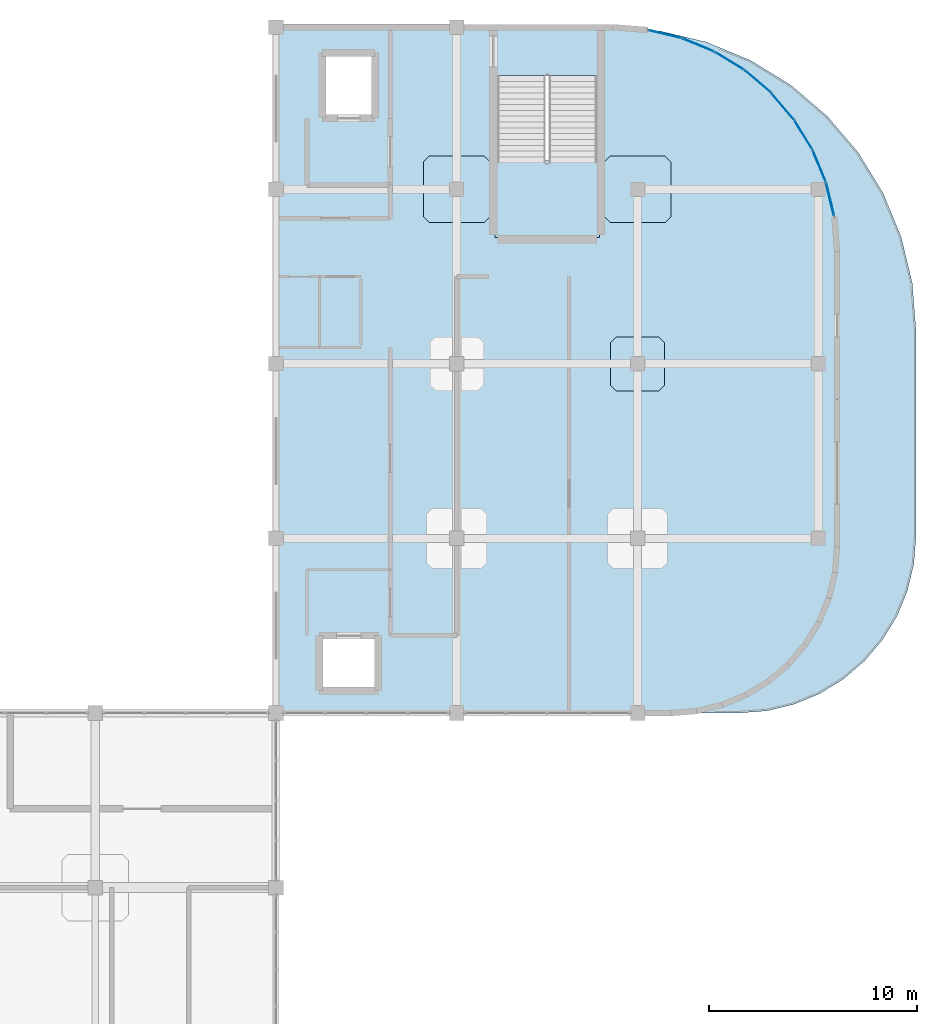
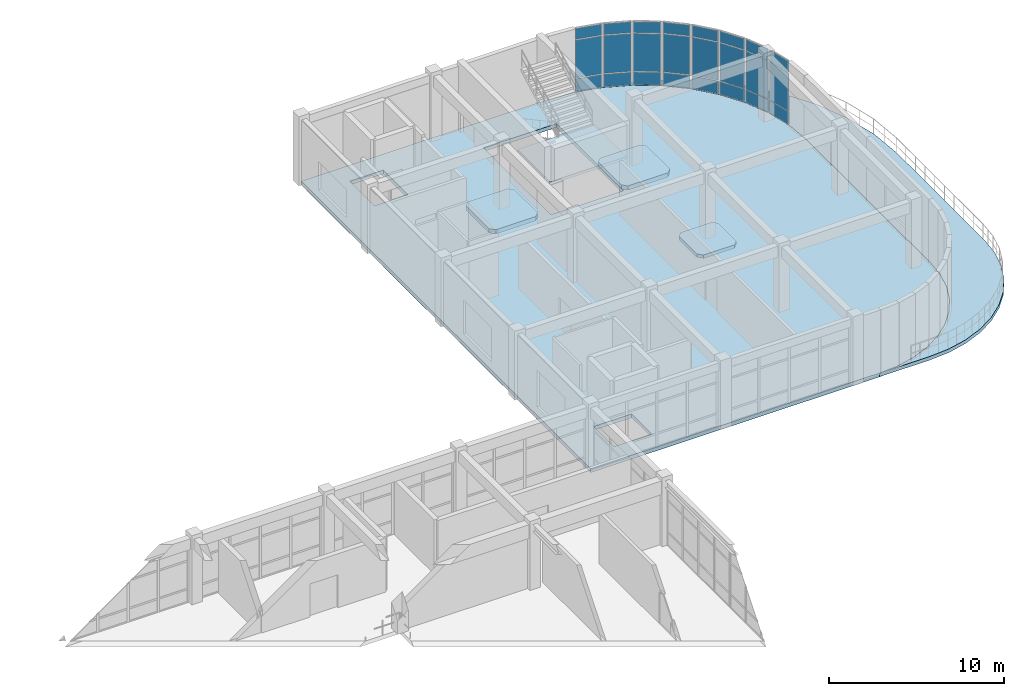
# One storey, part 53 of 64: 24 plates, 6 slabs, 9 elements without a shape of their own.
"""IFC4 building model written with IfcOpenShell, lengths in metres."""

from ifc_helpers import new_model, si_unit, derived_unit, direction, frame, origin, origin_2d, place, context, subcontext, project, spatial, polyline, rectangle, outline, extrude, material, layer, layer_set, type_object, element, aggregate, save


model = new_model("IFC4")

# Units and contexts
model_context = context("Model", 3, precision=1e-05, world=origin(), true_north=direction((0.0, 1.0)))
body_context = subcontext(model_context, "Body", "Model", "MODEL_VIEW")
ifc_project = project(units=[si_unit("LENGTHUNIT", "METRE"), si_unit("AREAUNIT", "SQUARE_METRE"), si_unit("VOLUMEUNIT", "CUBIC_METRE"), si_unit("PLANEANGLEUNIT", "RADIAN"), si_unit("MASSUNIT", "GRAM", prefix="KILO"), derived_unit("THERMALTRANSMITTANCEUNIT", [(si_unit("MASSUNIT", "GRAM", prefix="KILO"), 1), (si_unit("TIMEUNIT", "SECOND"), -3), (si_unit("THERMODYNAMICTEMPERATUREUNIT", "KELVIN"), -1)])], contexts=[model_context])

# Site, building, storey
site_placement = place(None, origin())
site = spatial("IfcSite", under=ifc_project, at=site_placement, CompositionType="ELEMENT")
building_placement = place(site_placement, origin())
building = spatial("IfcBuilding", under=site, at=building_placement, Name="Qinzheling Arcade Emporium", CompositionType="ELEMENT")
storey_placement = place(building_placement, frame((0.0, 0.0, 31.5)))
storey = spatial("IfcBuildingStorey", under=building, at=storey_placement, Name="L07", CompositionType="ELEMENT", Elevation=31.5)

# Slabs
ifc_material_1 = material(Name="Concrete C40", Category="concrete")
ifc_layer_1 = layer(ifc_material_1, 0.264892578125, Name="Concrete C40", Category="concrete")
ifc_layer_set_1 = layer_set([ifc_layer_1], Name="Concrete C40")
slab_type_1 = type_object("IfcSlabType", Name="Buying Office Flat Slab 265 C40", PredefinedType="FLOOR", material=ifc_layer_set_1)
slab_1_placement = place(storey_placement, frame((0.0, 0.0, -0.264892578125)))
element("IfcSlab", 1, at=slab_1_placement, inside=storey, type_object=slab_type_1, Name="Floor Slab SLB-L07-V6", PredefinedType="FLOOR", context=body_context, shape_type="SweptSolid", body=[
    extrude(outline(polyline([(104.39990234375, 106.800048828125), (104.39990234375, 73.800048828125), (123.39990234375, 73.800048828125), (124.65087890625, 73.89794921875), (125.8720703125, 74.19189453125), (127.031982421875, 74.672119140625), (128.10205078125, 75.327880859375), (129.056884765625, 76.14306640625), (129.8720703125, 77.097900390625), (130.528076171875, 78.16796875), (131.008056640625, 79.327880859375), (131.302001953125, 80.549072265625), (131.39990234375, 81.800048828125), (131.39990234375, 96.0), (131.26708984375, 97.68896484375), (130.87109375, 99.3369140625), (130.222900390625, 100.903076171875), (129.3369140625, 102.347900390625), (128.237060546875, 103.636962890625), (126.947998046875, 104.737060546875), (125.5029296875, 105.623046875), (123.93701171875, 106.27099609375), (122.2890625, 106.6669921875), (120.60009765625, 106.800048828125), (104.39990234375, 106.800048828125)]), holes=[polyline([(119.844970703125, 96.800048828125), (115.054931640625, 96.800048828125), (115.054931640625, 104.47509765625), (119.844970703125, 104.47509765625), (119.844970703125, 96.800048828125)]), polyline([(109.14990234375, 75.050048828125), (106.64990234375, 75.050048828125), (106.64990234375, 77.35009765625), (109.14990234375, 77.35009765625), (109.14990234375, 75.050048828125)]), polyline([(109.0, 102.60009765625), (106.800048828125, 102.60009765625), (106.800048828125, 105.39990234375), (109.0, 105.39990234375), (109.0, 102.60009765625)])]), origin(), (0.0, 0.0, 1.0), 0.264892578125),
])
ifc_layer_2 = layer(ifc_material_1, 0.235107421875, Name="Concrete C40", Category="concrete")
ifc_layer_set_2 = layer_set([ifc_layer_2], Name="Concrete C40")
slab_type_2 = type_object("IfcSlabType", Name="Column Head Drop Panel 2600x2600x235 C40", PredefinedType="USERDEFINED", material=ifc_layer_set_2)
slab_2_placement = place(storey_placement, frame((0.0, 0.0, -0.5)))
element("IfcSlab", 2, at=slab_2_placement, inside=storey, type_object=slab_type_2, Name="Column Drop Panel DP-L07-15-L", ObjectType="DROP_PANEL", PredefinedType="USERDEFINED", context=body_context, shape_type="SweptSolid", body=[
    extrude(outline(polyline([(120.780029296875, 89.300048828125), (122.820068359375, 89.300048828125), (123.10009765625, 89.580078125), (123.10009765625, 91.6201171875), (122.820068359375, 91.89990234375), (120.780029296875, 91.89990234375), (120.5, 91.6201171875), (120.5, 89.580078125), (120.780029296875, 89.300048828125)])), origin(), (0.0, 0.0, 1.0), 0.235107421875),
])
ifc_layer_3 = layer(ifc_material_1, 0.300048828125, Name="Concrete C40", Category="concrete")
ifc_layer_set_3 = layer_set([ifc_layer_3], Name="Concrete C40")
slab_type_3 = type_object("IfcSlabType", Name="Column Head Drop Panel 3200x3200x300 C40", PredefinedType="USERDEFINED", material=ifc_layer_set_3)
slab_3_placement = place(storey_placement, frame((0.0, 0.0, -0.56494140625)))
element("IfcSlab", 3, at=slab_3_placement, inside=storey, type_object=slab_type_3, Name="Column Drop Panel DP-L07-14-M", ObjectType="DROP_PANEL", PredefinedType="USERDEFINED", context=body_context, shape_type="SweptSolid", body=[
    extrude(outline(polyline([(111.780029296875, 97.39990234375), (114.419921875, 97.39990234375), (114.699951171875, 97.679931640625), (114.699951171875, 100.320068359375), (114.419921875, 100.60009765625), (111.780029296875, 100.60009765625), (111.5, 100.320068359375), (111.5, 97.679931640625), (111.780029296875, 97.39990234375)])), origin(), (0.0, 0.0, 1.0), 0.300048828125),
])
slab_4_placement = place(storey_placement, frame((0.0, 0.0, -0.56494140625)))
element("IfcSlab", 4, at=slab_4_placement, inside=storey, type_object=slab_type_3, Name="Column Drop Panel DP-L07-15-M", ObjectType="DROP_PANEL", PredefinedType="USERDEFINED", context=body_context, shape_type="SweptSolid", body=[
    extrude(outline(polyline([(120.47998046875, 97.39990234375), (123.1201171875, 97.39990234375), (123.39990234375, 97.679931640625), (123.39990234375, 100.320068359375), (123.1201171875, 100.60009765625), (120.47998046875, 100.60009765625), (120.199951171875, 100.320068359375), (120.199951171875, 97.679931640625), (120.47998046875, 97.39990234375)])), origin(), (0.0, 0.0, 1.0), 0.300048828125),
])

# Curtain wall, plates
ifc_material_2 = material(Name="Anodised aluminium and solar-control double glazing", Category="aluminium")
ifc_layer_4 = layer(ifc_material_2, 0.159912109375, Name="Anodised aluminium and solar-control double glazing", Category="aluminium")
ifc_layer_set_4 = layer_set([ifc_layer_4], Name="Anodised aluminium and solar-control double glazing")
curtain_wall_type = type_object("IfcCurtainWallType", Name="Curved Ribbon Sales Curtain Wall", PredefinedType="NOTDEFINED", material=ifc_layer_set_4)
curtain_wall_1_placement = place(storey_placement, origin())
curtain_wall_1 = element("IfcCurtainWall", 5, at=curtain_wall_1_placement, inside=storey, type_object=curtain_wall_type, Name="Curtain Wall CW-L07-433", PredefinedType="NOTDEFINED")
ifc_material_3 = material(Name="Laminated solar-control double glazing", Category="glass")
ifc_layer_5 = layer(ifc_material_3, 0.029052734375, Name="Laminated solar-control double glazing", Category="glass")
ifc_layer_set_5 = layer_set([ifc_layer_5], Name="Laminated solar-control double glazing")
plate_type_1 = type_object("IfcPlateType", Name="Low-E Double Glazed Curtain Panel 29mm", PredefinedType="CURTAIN_PANEL", material=ifc_layer_set_5)
plate_1_placement = place(storey_placement, frame((123.113037109375, 106.468994140625, 0.06005859375), z_axis=(0.0, 0.0, 1.0), x_axis=(0.97232299865, -0.233640720545, 0.0)))
plate_1 = element("IfcPlate", 6, at=plate_1_placement, type_object=plate_type_1, Name="CW02 panel 1.1", PredefinedType="CURTAIN_PANEL", context=body_context, shape_type="SweptSolid", body=[
    extrude(rectangle(XDim=1.574951171875, YDim=0.029052734375, at=origin_2d()), origin(), (0.0, 0.0, 1.0), 0.860107421875),
])
plate_2_placement = place(storey_placement, frame((123.113037109375, 106.468994140625, 0.97998046875), z_axis=(0.0, 0.0, 1.0), x_axis=(0.97232299865, -0.233640720545, 0.0)))
plate_2 = element("IfcPlate", 7, at=plate_2_placement, type_object=plate_type_1, Name="CW02 panel 1.2", PredefinedType="CURTAIN_PANEL", context=body_context, shape_type="SweptSolid", body=[
    extrude(rectangle(XDim=1.574951171875, YDim=0.029052734375, at=origin_2d()), origin(), (0.0, 0.0, 1.0), 2.6298828125),
])
plate_3_placement = place(storey_placement, frame((123.113037109375, 106.468994140625, 3.669921875), z_axis=(0.0, 0.0, 1.0), x_axis=(0.97232299865, -0.233640720545, 0.0)))
plate_3 = element("IfcPlate", 8, at=plate_3_placement, type_object=plate_type_1, Name="CW02 panel 1.3", PredefinedType="CURTAIN_PANEL", context=body_context, shape_type="SweptSolid", body=[
    extrude(rectangle(XDim=1.574951171875, YDim=0.029052734375, at=origin_2d()), origin(), (0.0, 0.0, 1.0), 0.760009765625),
])
aggregate(curtain_wall_1, [plate_1, plate_2, plate_3])

curtain_wall_2_placement = place(storey_placement, origin())
curtain_wall_2 = element("IfcCurtainWall", 9, at=curtain_wall_2_placement, inside=storey, type_object=curtain_wall_type, Name="Curtain Wall CW-L07-434", PredefinedType="NOTDEFINED")
ifc_layer_6 = layer(ifc_material_3, 0.030029296875, Name="Laminated solar-control double glazing", Category="glass")
ifc_layer_set_6 = layer_set([ifc_layer_6], Name="Laminated solar-control double glazing")
plate_type_2 = type_object("IfcPlateType", Name="Low-E Double Glazed Curtain Panel 30mm", PredefinedType="CURTAIN_PANEL", material=ifc_layer_set_6)
plate_4_placement = place(storey_placement, frame((124.719970703125, 105.947021484375, 0.06005859375), z_axis=(0.0, 0.0, 1.0), x_axis=(0.924016832423, -0.382351792725, 0.0)))
plate_4 = element("IfcPlate", 10, at=plate_4_placement, type_object=plate_type_2, Name="CW02 panel 1.1", PredefinedType="CURTAIN_PANEL", context=body_context, shape_type="SweptSolid", body=[
    extrude(rectangle(XDim=1.57470703125, YDim=0.030029296875, at=origin_2d()), origin(), (0.0, 0.0, 1.0), 0.860107421875),
])
plate_5_placement = place(storey_placement, frame((124.719970703125, 105.947021484375, 0.97998046875), z_axis=(0.0, 0.0, 1.0), x_axis=(0.924016832423, -0.382351792725, 0.0)))
plate_5 = element("IfcPlate", 11, at=plate_5_placement, type_object=plate_type_2, Name="CW02 panel 1.2", PredefinedType="CURTAIN_PANEL", context=body_context, shape_type="SweptSolid", body=[
    extrude(rectangle(XDim=1.57470703125, YDim=0.030029296875, at=origin_2d()), origin(), (0.0, 0.0, 1.0), 2.6298828125),
])
plate_6_placement = place(storey_placement, frame((124.719970703125, 105.947021484375, 3.669921875), z_axis=(0.0, 0.0, 1.0), x_axis=(0.924016832423, -0.382351792725, 0.0)))
plate_6 = element("IfcPlate", 12, at=plate_6_placement, type_object=plate_type_2, Name="CW02 panel 1.3", PredefinedType="CURTAIN_PANEL", context=body_context, shape_type="SweptSolid", body=[
    extrude(rectangle(XDim=1.57470703125, YDim=0.030029296875, at=origin_2d()), origin(), (0.0, 0.0, 1.0), 0.760009765625),
])
aggregate(curtain_wall_2, [plate_4, plate_5, plate_6])

curtain_wall_3_placement = place(storey_placement, origin())
curtain_wall_3 = element("IfcCurtainWall", 13, at=curtain_wall_3_placement, inside=storey, type_object=curtain_wall_type, Name="Curtain Wall CW-L07-435", PredefinedType="NOTDEFINED")
ifc_layer_7 = layer(ifc_material_3, 0.031005859375, Name="Laminated solar-control double glazing", Category="glass")
ifc_layer_set_7 = layer_set([ifc_layer_7], Name="Laminated solar-control double glazing")
plate_type_3 = type_object("IfcPlateType", Name="Low-E Double Glazed Curtain Panel 31mm", PredefinedType="CURTAIN_PANEL", material=ifc_layer_set_7)
plate_7_placement = place(storey_placement, frame((126.2255859375, 105.179931640625, 0.06005859375), z_axis=(0.0, 0.0, 1.0), x_axis=(0.852507968087, -0.522714228187, 0.0)))
plate_7 = element("IfcPlate", 14, at=plate_7_placement, type_object=plate_type_3, Name="CW02 panel 1.1", PredefinedType="CURTAIN_PANEL", context=body_context, shape_type="SweptSolid", body=[
    extrude(rectangle(XDim=1.574951171875, YDim=0.031005859375, at=origin_2d()), origin(), (0.0, 0.0, 1.0), 0.860107421875),
])
plate_8_placement = place(storey_placement, frame((126.2255859375, 105.179931640625, 0.97998046875), z_axis=(0.0, 0.0, 1.0), x_axis=(0.852507968087, -0.522714228187, 0.0)))
plate_8 = element("IfcPlate", 15, at=plate_8_placement, type_object=plate_type_3, Name="CW02 panel 1.2", PredefinedType="CURTAIN_PANEL", context=body_context, shape_type="SweptSolid", body=[
    extrude(rectangle(XDim=1.574951171875, YDim=0.031005859375, at=origin_2d()), origin(), (0.0, 0.0, 1.0), 2.6298828125),
])
plate_9_placement = place(storey_placement, frame((126.2255859375, 105.179931640625, 3.669921875), z_axis=(0.0, 0.0, 1.0), x_axis=(0.852507968087, -0.522714228187, 0.0)))
plate_9 = element("IfcPlate", 16, at=plate_9_placement, type_object=plate_type_3, Name="CW02 panel 1.3", PredefinedType="CURTAIN_PANEL", context=body_context, shape_type="SweptSolid", body=[
    extrude(rectangle(XDim=1.574951171875, YDim=0.031005859375, at=origin_2d()), origin(), (0.0, 0.0, 1.0), 0.760009765625),
])
aggregate(curtain_wall_3, [plate_7, plate_8, plate_9])

curtain_wall_4_placement = place(storey_placement, origin())
curtain_wall_4 = element("IfcCurtainWall", 17, at=curtain_wall_4_placement, inside=storey, type_object=curtain_wall_type, Name="Curtain Wall CW-L07-436", PredefinedType="NOTDEFINED")
ifc_layer_8 = layer(ifc_material_3, 0.031982421875, Name="Laminated solar-control double glazing", Category="glass")
ifc_layer_set_8 = layer_set([ifc_layer_8], Name="Laminated solar-control double glazing")
plate_type_4 = type_object("IfcPlateType", Name="Low-E Double Glazed Curtain Panel 32mm", PredefinedType="CURTAIN_PANEL", material=ifc_layer_set_8)
plate_10_placement = place(storey_placement, frame((127.592529296875, 104.18701171875, 0.06005859375), z_axis=(0.0, 0.0, 1.0), x_axis=(0.760671104343, -0.64913748237, 0.0)))
plate_10 = element("IfcPlate", 18, at=plate_10_placement, type_object=plate_type_4, Name="CW02 panel 1.1", PredefinedType="CURTAIN_PANEL", context=body_context, shape_type="SweptSolid", body=[
    extrude(rectangle(XDim=1.574462890625, YDim=0.031982421875, at=origin_2d()), origin(), (0.0, 0.0, 1.0), 0.860107421875),
])
plate_11_placement = place(storey_placement, frame((127.592529296875, 104.18701171875, 0.97998046875), z_axis=(0.0, 0.0, 1.0), x_axis=(0.760671104343, -0.64913748237, 0.0)))
plate_11 = element("IfcPlate", 19, at=plate_11_placement, type_object=plate_type_4, Name="CW02 panel 1.2", PredefinedType="CURTAIN_PANEL", context=body_context, shape_type="SweptSolid", body=[
    extrude(rectangle(XDim=1.574462890625, YDim=0.031982421875, at=origin_2d()), origin(), (0.0, 0.0, 1.0), 2.6298828125),
])
plate_12_placement = place(storey_placement, frame((127.592529296875, 104.18701171875, 3.669921875), z_axis=(0.0, 0.0, 1.0), x_axis=(0.760671104343, -0.64913748237, 0.0)))
plate_12 = element("IfcPlate", 20, at=plate_12_placement, type_object=plate_type_4, Name="CW02 panel 1.3", PredefinedType="CURTAIN_PANEL", context=body_context, shape_type="SweptSolid", body=[
    extrude(rectangle(XDim=1.574462890625, YDim=0.031982421875, at=origin_2d()), origin(), (0.0, 0.0, 1.0), 0.760009765625),
])
aggregate(curtain_wall_4, [plate_10, plate_11, plate_12])

curtain_wall_5_placement = place(storey_placement, origin())
curtain_wall_5 = element("IfcCurtainWall", 21, at=curtain_wall_5_placement, inside=storey, type_object=curtain_wall_type, Name="Curtain Wall CW-L07-437", PredefinedType="NOTDEFINED")
ifc_layer_9 = layer(ifc_material_3, 0.033935546875, Name="Laminated solar-control double glazing", Category="glass")
ifc_layer_set_9 = layer_set([ifc_layer_9], Name="Laminated solar-control double glazing")
plate_type_5 = type_object("IfcPlateType", Name="Low-E Double Glazed Curtain Panel 34mm", PredefinedType="CURTAIN_PANEL", material=ifc_layer_set_9)
plate_13_placement = place(storey_placement, frame((128.787109375, 102.992431640625, 0.06005859375), z_axis=(0.0, 0.0, 1.0), x_axis=(0.64913748237, -0.760671104343, 0.0)))
plate_13 = element("IfcPlate", 22, at=plate_13_placement, type_object=plate_type_5, Name="CW02 panel 1.1", PredefinedType="CURTAIN_PANEL", context=body_context, shape_type="SweptSolid", body=[
    extrude(rectangle(XDim=1.574462890625, YDim=0.033935546875, at=origin_2d()), origin(), (0.0, 0.0, 1.0), 0.860107421875),
])
plate_14_placement = place(storey_placement, frame((128.787109375, 102.992431640625, 0.97998046875), z_axis=(0.0, 0.0, 1.0), x_axis=(0.64913748237, -0.760671104343, 0.0)))
plate_14 = element("IfcPlate", 23, at=plate_14_placement, type_object=plate_type_5, Name="CW02 panel 1.2", PredefinedType="CURTAIN_PANEL", context=body_context, shape_type="SweptSolid", body=[
    extrude(rectangle(XDim=1.574462890625, YDim=0.033935546875, at=origin_2d()), origin(), (0.0, 0.0, 1.0), 2.6298828125),
])
plate_15_placement = place(storey_placement, frame((128.787109375, 102.992431640625, 3.669921875), z_axis=(0.0, 0.0, 1.0), x_axis=(0.64913748237, -0.760671104343, 0.0)))
plate_15 = element("IfcPlate", 24, at=plate_15_placement, type_object=plate_type_5, Name="CW02 panel 1.3", PredefinedType="CURTAIN_PANEL", context=body_context, shape_type="SweptSolid", body=[
    extrude(rectangle(XDim=1.574462890625, YDim=0.033935546875, at=origin_2d()), origin(), (0.0, 0.0, 1.0), 0.760009765625),
])
aggregate(curtain_wall_5, [plate_13, plate_14, plate_15])

curtain_wall_6_placement = place(storey_placement, origin())
curtain_wall_6 = element("IfcCurtainWall", 25, at=curtain_wall_6_placement, inside=storey, type_object=curtain_wall_type, Name="Curtain Wall CW-L07-438", PredefinedType="NOTDEFINED")
ifc_layer_10 = layer(ifc_material_3, 0.035888671875, Name="Laminated solar-control double glazing", Category="glass")
ifc_layer_set_10 = layer_set([ifc_layer_10], Name="Laminated solar-control double glazing")
plate_type_6 = type_object("IfcPlateType", Name="Low-E Double Glazed Curtain Panel 36mm", PredefinedType="CURTAIN_PANEL", material=ifc_layer_set_10)
plate_16_placement = place(storey_placement, frame((129.780029296875, 101.62548828125, 0.06005859375), z_axis=(0.0, 0.0, 1.0), x_axis=(0.522714228187, -0.852507968087, 0.0)))
plate_16 = element("IfcPlate", 26, at=plate_16_placement, type_object=plate_type_6, Name="CW02 panel 1.1", PredefinedType="CURTAIN_PANEL", context=body_context, shape_type="SweptSolid", body=[
    extrude(rectangle(XDim=1.574951171875, YDim=0.035888671875, at=origin_2d()), origin(), (0.0, 0.0, 1.0), 0.860107421875),
])
plate_17_placement = place(storey_placement, frame((129.780029296875, 101.62548828125, 0.97998046875), z_axis=(0.0, 0.0, 1.0), x_axis=(0.522714228187, -0.852507968087, 0.0)))
plate_17 = element("IfcPlate", 27, at=plate_17_placement, type_object=plate_type_6, Name="CW02 panel 1.2", PredefinedType="CURTAIN_PANEL", context=body_context, shape_type="SweptSolid", body=[
    extrude(rectangle(XDim=1.574951171875, YDim=0.035888671875, at=origin_2d()), origin(), (0.0, 0.0, 1.0), 2.6298828125),
])
plate_18_placement = place(storey_placement, frame((129.780029296875, 101.62548828125, 3.669921875), z_axis=(0.0, 0.0, 1.0), x_axis=(0.522714228187, -0.852507968087, 0.0)))
plate_18 = element("IfcPlate", 28, at=plate_18_placement, type_object=plate_type_6, Name="CW02 panel 1.3", PredefinedType="CURTAIN_PANEL", context=body_context, shape_type="SweptSolid", body=[
    extrude(rectangle(XDim=1.574951171875, YDim=0.035888671875, at=origin_2d()), origin(), (0.0, 0.0, 1.0), 0.760009765625),
])
aggregate(curtain_wall_6, [plate_16, plate_17, plate_18])

curtain_wall_7_placement = place(storey_placement, origin())
curtain_wall_7 = element("IfcCurtainWall", 29, at=curtain_wall_7_placement, inside=storey, type_object=curtain_wall_type, Name="Curtain Wall CW-L07-439", PredefinedType="NOTDEFINED")
ifc_layer_11 = layer(ifc_material_3, 0.0380859375, Name="Laminated solar-control double glazing", Category="glass")
ifc_layer_set_11 = layer_set([ifc_layer_11], Name="Laminated solar-control double glazing")
plate_type_7 = type_object("IfcPlateType", Name="Low-E Double Glazed Curtain Panel 38mm", PredefinedType="CURTAIN_PANEL", material=ifc_layer_set_11)
plate_19_placement = place(storey_placement, frame((130.547119140625, 100.1201171875, 0.06005859375), z_axis=(0.0, 0.0, 1.0), x_axis=(0.382351792725, -0.924016832423, 0.0)))
plate_19 = element("IfcPlate", 30, at=plate_19_placement, type_object=plate_type_7, Name="CW02 panel 1.1", PredefinedType="CURTAIN_PANEL", context=body_context, shape_type="SweptSolid", body=[
    extrude(rectangle(XDim=1.57470703125, YDim=0.0380859375, at=origin_2d()), origin(), (0.0, 0.0, 1.0), 0.860107421875),
])
plate_20_placement = place(storey_placement, frame((130.547119140625, 100.1201171875, 0.97998046875), z_axis=(0.0, 0.0, 1.0), x_axis=(0.382351792725, -0.924016832423, 0.0)))
plate_20 = element("IfcPlate", 31, at=plate_20_placement, type_object=plate_type_7, Name="CW02 panel 1.2", PredefinedType="CURTAIN_PANEL", context=body_context, shape_type="SweptSolid", body=[
    extrude(rectangle(XDim=1.57470703125, YDim=0.0380859375, at=origin_2d()), origin(), (0.0, 0.0, 1.0), 2.6298828125),
])
plate_21_placement = place(storey_placement, frame((130.547119140625, 100.1201171875, 3.669921875), z_axis=(0.0, 0.0, 1.0), x_axis=(0.382351792725, -0.924016832423, 0.0)))
plate_21 = element("IfcPlate", 32, at=plate_21_placement, type_object=plate_type_7, Name="CW02 panel 1.3", PredefinedType="CURTAIN_PANEL", context=body_context, shape_type="SweptSolid", body=[
    extrude(rectangle(XDim=1.57470703125, YDim=0.0380859375, at=origin_2d()), origin(), (0.0, 0.0, 1.0), 0.760009765625),
])
aggregate(curtain_wall_7, [plate_19, plate_20, plate_21])

curtain_wall_8_placement = place(storey_placement, origin())
curtain_wall_8 = element("IfcCurtainWall", 33, at=curtain_wall_8_placement, inside=storey, type_object=curtain_wall_type, Name="Curtain Wall CW-L07-440", PredefinedType="NOTDEFINED")
ifc_layer_12 = layer(ifc_material_3, 0.0400390625, Name="Laminated solar-control double glazing", Category="glass")
ifc_layer_set_12 = layer_set([ifc_layer_12], Name="Laminated solar-control double glazing")
plate_type_8 = type_object("IfcPlateType", Name="Low-E Double Glazed Curtain Panel 40mm", PredefinedType="CURTAIN_PANEL", material=ifc_layer_set_12)
plate_22_placement = place(storey_placement, frame((131.069091796875, 98.512939453125, 0.06005859375), z_axis=(0.0, 0.0, 1.0), x_axis=(0.233640720545, -0.97232299865, 0.0)))
plate_22 = element("IfcPlate", 34, at=plate_22_placement, type_object=plate_type_8, Name="CW02 panel 1.1", PredefinedType="CURTAIN_PANEL", context=body_context, shape_type="SweptSolid", body=[
    extrude(rectangle(XDim=1.574951171875, YDim=0.0400390625, at=origin_2d()), origin(), (0.0, 0.0, 1.0), 0.860107421875),
])
plate_23_placement = place(storey_placement, frame((131.069091796875, 98.512939453125, 0.97998046875), z_axis=(0.0, 0.0, 1.0), x_axis=(0.233640720545, -0.97232299865, 0.0)))
plate_23 = element("IfcPlate", 35, at=plate_23_placement, type_object=plate_type_8, Name="CW02 panel 1.2", PredefinedType="CURTAIN_PANEL", context=body_context, shape_type="SweptSolid", body=[
    extrude(rectangle(XDim=1.574951171875, YDim=0.0400390625, at=origin_2d()), origin(), (0.0, 0.0, 1.0), 2.6298828125),
])
plate_24_placement = place(storey_placement, frame((131.069091796875, 98.512939453125, 3.669921875), z_axis=(0.0, 0.0, 1.0), x_axis=(0.233640720545, -0.97232299865, 0.0)))
plate_24 = element("IfcPlate", 36, at=plate_24_placement, type_object=plate_type_8, Name="CW02 panel 1.3", PredefinedType="CURTAIN_PANEL", context=body_context, shape_type="SweptSolid", body=[
    extrude(rectangle(XDim=1.574951171875, YDim=0.0400390625, at=origin_2d()), origin(), (0.0, 0.0, 1.0), 0.760009765625),
])
aggregate(curtain_wall_8, [plate_22, plate_23, plate_24])

# Slab
ifc_layer_13 = layer(ifc_material_1, 0.25, Name="Concrete C40", Category="concrete")
ifc_layer_set_13 = layer_set([ifc_layer_13], Name="Concrete C40")
slab_type_4 = type_object("IfcSlabType", Name="Outdoor Dining Terrace Slab 250 C40", PredefinedType="FLOOR", material=ifc_layer_set_13)
slab_5_placement = place(storey_placement, frame((0.0, 0.0, -0.25)))
element("IfcSlab", 37, at=slab_5_placement, inside=storey, type_object=slab_type_4, Name="Outdoor Terrace SLB-TR-V6-L07", PredefinedType="FLOOR", context=body_context, shape_type="SweptSolid", body=[
    extrude(outline(polyline([(122.884033203125, 106.6201171875), (122.2900390625, 106.6669921875), (123.93701171875, 106.27099609375), (125.5029296875, 105.623046875), (126.947998046875, 104.737060546875), (128.237060546875, 103.636962890625), (129.3369140625, 102.347900390625), (130.222900390625, 100.903076171875), (130.87109375, 99.3369140625), (131.26708984375, 97.68896484375), (131.39990234375, 96.0), (131.39990234375, 81.800048828125), (131.302001953125, 80.549072265625), (131.008056640625, 79.327880859375), (130.528076171875, 78.16796875), (129.8720703125, 77.097900390625), (129.056884765625, 76.14306640625), (128.10205078125, 75.327880859375), (127.031982421875, 74.672119140625), (125.8720703125, 74.19189453125), (124.65087890625, 73.89794921875), (123.39990234375, 73.800048828125), (126.699951171875, 73.800048828125), (128.030029296875, 73.905029296875), (129.326904296875, 74.216064453125), (130.55908203125, 74.72607421875), (131.696044921875, 75.423095703125), (132.7099609375, 76.2900390625), (133.576904296875, 77.303955078125), (134.27392578125, 78.44091796875), (134.783935546875, 79.673095703125), (135.094970703125, 80.969970703125), (135.199951171875, 82.300048828125), (135.199951171875, 92.199951171875), (135.02001953125, 94.48388671875), (134.485107421875, 96.7119140625), (133.60888671875, 98.827880859375), (132.412109375, 100.781982421875), (130.924072265625, 102.52392578125), (129.181884765625, 104.011962890625), (127.22802734375, 105.208984375), (125.112060546875, 106.0849609375), (122.884033203125, 106.6201171875)])), origin(), (0.0, 0.0, 1.0), 0.25),
])

# Stair, slab
stair_type = type_object("IfcStairType", Name="Cast-in-Situ Dog-Leg Escape Stair H4800", PredefinedType="HALF_TURN_STAIR", material=ifc_material_1)
stair_placement = place(storey_placement, origin())
stair = element("IfcStair", 38, at=stair_placement, inside=storey, type_object=stair_type, Name="L07 ST08", PredefinedType="HALF_TURN_STAIR")
ifc_layer_14 = layer(ifc_material_1, 0.199951171875, Name="Concrete C40", Category="concrete")
ifc_layer_set_14 = layer_set([ifc_layer_14], Name="Concrete C40")
slab_type_5 = type_object("IfcSlabType", Name="Stair Half-Turn Landing Slab 200 C40", PredefinedType="LANDING", material=ifc_layer_set_14)
slab_6_placement = place(storey_placement, frame((0.0, 0.0, 2.199951171875)))
slab_6 = element("IfcSlab", 39, at=slab_6_placement, type_object=slab_type_5, Name="ST08 landing 1", PredefinedType="LANDING", context=body_context, shape_type="SweptSolid", body=[
    extrude(outline(polyline([(114.93505859375, 100.39990234375), (119.965087890625, 100.39990234375), (119.965087890625, 96.679931640625), (114.93505859375, 96.679931640625), (114.93505859375, 100.39990234375)])), origin(), (0.0, 0.0, 1.0), 0.199951171875),
])
aggregate(stair, [slab_6])

save(model, "model.ifc")
